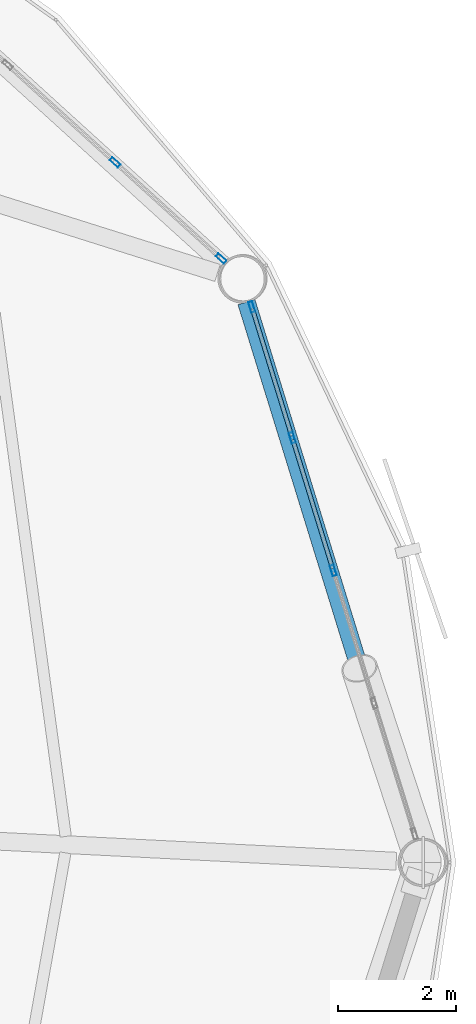
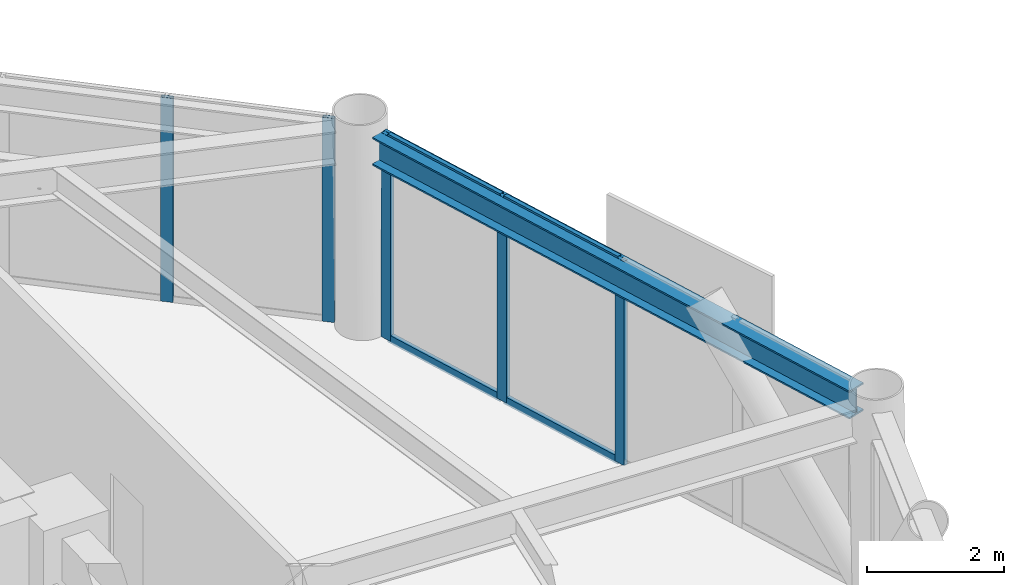
# One storey, part 15 of 26: 9 members, 1 beam, 2 elements without a shape of their own.
"""IFC4 building model written with IfcOpenShell, lengths in metres."""

from ifc_helpers import new_model, si_unit, direction, frame, origin, origin_2d, place, context, subcontext, project, spatial, hollow_rectangle, i_section, extrude, material, layer, layer_set, material_profile, profile_set, type_object, element, aggregate, save


model = new_model("IFC4")

# Units and contexts
model_context = context("Model", 3, precision=1e-05, world=origin(), true_north=direction((0.0, 1.0)))
body_context = subcontext(model_context, "Body", "Model", "MODEL_VIEW")
ifc_project = project(units=[si_unit("LENGTHUNIT", "METRE"), si_unit("AREAUNIT", "SQUARE_METRE"), si_unit("VOLUMEUNIT", "CUBIC_METRE"), si_unit("PLANEANGLEUNIT", "RADIAN"), si_unit("MASSUNIT", "GRAM", prefix="KILO")], contexts=[model_context])

# Site, building, storey
site_placement = place(None, origin())
site = spatial("IfcSite", under=ifc_project, at=site_placement, CompositionType="ELEMENT")
building_placement = place(site_placement, origin())
building = spatial("IfcBuilding", under=site, at=building_placement, Name="Varnakorn Sky Granary", CompositionType="ELEMENT")
storey_placement = place(building_placement, frame((0.0, 0.0, 87.60009765625)))
storey = spatial("IfcBuildingStorey", under=building, at=storey_placement, Name="L21", CompositionType="ELEMENT", Elevation=87.60009765625)

# Beam
ifc_material_1 = material(Name="Steel S355JR", Category="steel")
ifc_material_profile_1 = material_profile(ifc_material_1, i_section(OverallWidth=0.300048828125, OverallDepth=0.5, WebThickness=0.014404296875, FlangeThickness=0.028076171875, at=origin_2d()), Name="HE 500 B")
ifc_profile_set_1 = profile_set([ifc_material_profile_1], Name="Steel S355JR")
beam_type = type_object("IfcBeamType", Name="BM-SPD-Z2", PredefinedType="SPANDREL", material=ifc_profile_set_1)
beam_placement = place(storey_placement, frame((20.16748046875, 0.3740234375, 3.389892578125), z_axis=(-0.294919318378, 0.955522158638, 0.0), x_axis=(-0.955522158638, -0.294919318378, 0.0)))
element("IfcBeam", 1, at=beam_placement, inside=storey, type_object=beam_type, Name="Perimeter Spandrel Ring Beam RB01 L21", PredefinedType="SPANDREL", context=body_context, shape_type="SweptSolid", body=[
    extrude(i_section(OverallWidth=0.300048828125, OverallDepth=0.5, WebThickness=0.014404296875, FlangeThickness=0.028076171875, at=origin_2d()), origin(), (0.0, 0.0, 1.0), 9.50830078125),
])

# Curtain wall, members
ifc_material_2 = material(Name="Anodised Bronze Aluminium Alloy 6063-T6", Category="aluminium")
ifc_layer = layer(ifc_material_2, 0.18994140625, Name="Anodised Bronze Aluminium Alloy 6063-T6")
ifc_layer_set = layer_set([ifc_layer], Name="Anodised Bronze Aluminium Alloy 6063-T6")
curtain_wall_type = type_object("IfcCurtainWallType", Name="CW-FRM-1", PredefinedType="USERDEFINED", material=ifc_layer_set)
curtain_wall_1_placement = place(storey_placement, origin())
curtain_wall_1 = element("IfcCurtainWall", 2, at=curtain_wall_1_placement, inside=storey, type_object=curtain_wall_type, Name="Unitised Curtain Wall CW3 CW-L21-B01", ObjectType="CURTAIN WALL", PredefinedType="USERDEFINED")
ifc_material_profile_2 = material_profile(ifc_material_2, hollow_rectangle(XDim=0.070068359375, YDim=0.18505859375, WallThickness=0.00390625, at=origin_2d()), Name="ALU MULL 70x185")
ifc_profile_set_2 = profile_set([ifc_material_profile_2], Name="Anodised Bronze Aluminium Alloy 6063-T6")
member_type_1 = type_object("IfcMemberType", Name="CW-FRM-1-MULL", PredefinedType="MULLION", material=ifc_profile_set_2)
member_1_placement = place(storey_placement, frame((17.45361328125, 9.37841796875, 0.0), z_axis=(0.0, 0.0, 1.0), x_axis=(0.955475972481, 0.295068917394, 0.0)))
member_1 = element("IfcMember", 3, at=member_1_placement, type_object=member_type_1, Name="CW3 mullion 1", PredefinedType="MULLION", context=body_context, shape_type="SweptSolid", body=[
    extrude(hollow_rectangle(XDim=0.070068359375, YDim=0.18505859375, WallThickness=0.00390625, at=origin_2d()), origin(), (0.0, 0.0, 1.0), 3.639892578125),
])
member_2_placement = place(storey_placement, frame((18.1357421875, 7.170166015625, 0.0), z_axis=(0.0, 0.0, 1.0), x_axis=(0.955475972481, 0.295068917394, 0.0)))
member_2 = element("IfcMember", 4, at=member_2_placement, type_object=member_type_1, Name="CW3 mullion 2", PredefinedType="MULLION", context=body_context, shape_type="SweptSolid", body=[
    extrude(hollow_rectangle(XDim=0.070068359375, YDim=0.18505859375, WallThickness=0.00390625, at=origin_2d()), origin(), (0.0, 0.0, 1.0), 3.639892578125),
])
member_3_placement = place(storey_placement, frame((18.827880859375, 4.9287109375, 0.0), z_axis=(0.0, 0.0, 1.0), x_axis=(0.955475972481, 0.295068917394, 0.0)))
member_3 = element("IfcMember", 5, at=member_3_placement, type_object=member_type_1, Name="CW3 mullion 3", PredefinedType="MULLION", context=body_context, shape_type="SweptSolid", body=[
    extrude(hollow_rectangle(XDim=0.070068359375, YDim=0.18505859375, WallThickness=0.00390625, at=origin_2d()), origin(), (0.0, 0.0, 1.0), 3.639892578125),
])

curtain_wall_2_placement = place(storey_placement, origin())
curtain_wall_2 = element("IfcCurtainWall", 6, at=curtain_wall_2_placement, inside=storey, type_object=curtain_wall_type, Name="Unitised Curtain Wall CW3 CW-L21-B02", ObjectType="CURTAIN WALL", PredefinedType="USERDEFINED")
member_4_placement = place(storey_placement, frame((15.14599609375, 11.818359375, 0.0), z_axis=(0.0, 0.0, 1.0), x_axis=(0.672190262797, 0.74037845093, 0.0)))
member_4 = element("IfcMember", 7, at=member_4_placement, type_object=member_type_1, Name="CW3 mullion 4", PredefinedType="MULLION", context=body_context, shape_type="SweptSolid", body=[
    extrude(hollow_rectangle(XDim=0.070068359375, YDim=0.18505859375, WallThickness=0.00390625, at=origin_2d()), origin(), (0.0, 0.0, 1.0), 3.639892578125),
])
member_5_placement = place(storey_placement, frame((16.934326171875, 10.194580078125, 0.0), z_axis=(0.0, 0.0, 1.0), x_axis=(0.672190262797, 0.74037845093, 0.0)))
member_5 = element("IfcMember", 8, at=member_5_placement, type_object=member_type_1, Name="CW3 mullion 5", PredefinedType="MULLION", context=body_context, shape_type="SweptSolid", body=[
    extrude(hollow_rectangle(XDim=0.070068359375, YDim=0.18505859375, WallThickness=0.00390625, at=origin_2d()), origin(), (0.0, 0.0, 1.0), 3.639892578125),
])
aggregate(curtain_wall_2, [member_4, member_5])

# Member
ifc_material_profile_3 = material_profile(ifc_material_2, hollow_rectangle(XDim=0.070068359375, YDim=0.139892578125, WallThickness=0.00341796875, at=origin_2d()), Name="ALU TRAN 70x140")
ifc_profile_set_3 = profile_set([ifc_material_profile_3], Name="Anodised Bronze Aluminium Alloy 6063-T6")
member_type_2 = type_object("IfcMemberType", Name="CW-FRM-1-TRAN", PredefinedType="USERDEFINED", material=ifc_profile_set_3)
member_6_placement = place(storey_placement, frame((17.464111328125, 9.344970703125, 0.034912109375), z_axis=(0.295004326024, -0.955495917117, 0.0), x_axis=(0.955495917117, 0.295004326024, 0.0)))
member_6 = element("IfcMember", 9, at=member_6_placement, type_object=member_type_2, Name="CW3 transom 1.1", ObjectType="TRANSOM", PredefinedType="USERDEFINED", context=body_context, shape_type="SweptSolid", body=[
    extrude(hollow_rectangle(XDim=0.070068359375, YDim=0.139892578125, WallThickness=0.00341796875, at=origin_2d()), origin(), (0.0, 0.0, 1.0), 2.2412109375),
])

member_7_placement = place(storey_placement, frame((17.464111328125, 9.344970703125, 3.60498046875), z_axis=(0.295004326024, -0.955495917117, 0.0), x_axis=(0.955495917117, 0.295004326024, 0.0)))
member_7 = element("IfcMember", 10, at=member_7_placement, type_object=member_type_2, Name="CW3 transom 1.2", ObjectType="TRANSOM", PredefinedType="USERDEFINED", context=body_context, shape_type="SweptSolid", body=[
    extrude(hollow_rectangle(XDim=0.070068359375, YDim=0.139892578125, WallThickness=0.00341796875, at=origin_2d()), origin(), (0.0, 0.0, 1.0), 2.2412109375),
])

member_8_placement = place(storey_placement, frame((18.14599609375, 7.13671875, 0.034912109375), z_axis=(0.29510330976, -0.955465350794, 0.0), x_axis=(0.955465350794, 0.29510330976, 0.0)))
member_8 = element("IfcMember", 11, at=member_8_placement, type_object=member_type_2, Name="CW3 transom 2.1", ObjectType="TRANSOM", PredefinedType="USERDEFINED", context=body_context, shape_type="SweptSolid", body=[
    extrude(hollow_rectangle(XDim=0.070068359375, YDim=0.139892578125, WallThickness=0.00341796875, at=origin_2d()), origin(), (0.0, 0.0, 1.0), 2.27587890625),
])

member_9_placement = place(storey_placement, frame((18.14599609375, 7.13671875, 3.60498046875), z_axis=(0.29510330976, -0.955465350794, 0.0), x_axis=(0.955465350794, 0.29510330976, 0.0)))
member_9 = element("IfcMember", 12, at=member_9_placement, type_object=member_type_2, Name="CW3 transom 2.2", ObjectType="TRANSOM", PredefinedType="USERDEFINED", context=body_context, shape_type="SweptSolid", body=[
    extrude(hollow_rectangle(XDim=0.070068359375, YDim=0.139892578125, WallThickness=0.00341796875, at=origin_2d()), origin(), (0.0, 0.0, 1.0), 2.27587890625),
])

aggregate(curtain_wall_1, [member_1, member_2, member_3, member_6, member_7, member_8, member_9])

save(model, "model.ifc")
